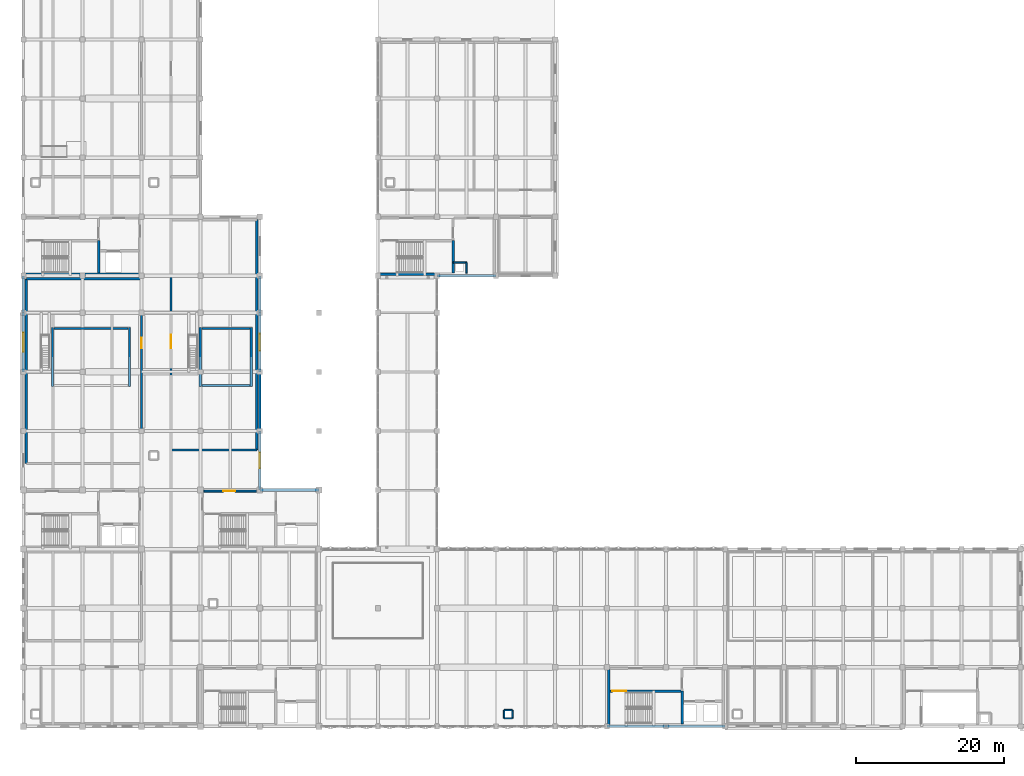
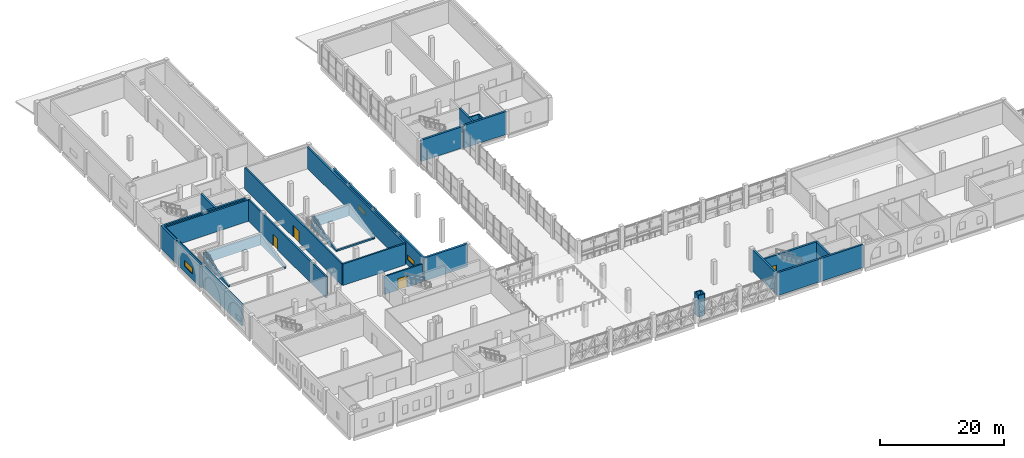
# One storey, part 27 of 45: 37 walls, 4 doors, 3 windows, 7 openings.
"""IFC4 building model written with IfcOpenShell, lengths in metres."""

from ifc_helpers import new_model, si_unit, direction, frame, frame_2d, origin, place, context, subcontext, project, spatial, polyline, rectangle, outline, extrude, material, layer, layer_set, type_object, element, fill, save


model = new_model("IFC4")

# Units and contexts
model_context = context("Model", 3, precision=1e-05, world=origin(), true_north=direction((0.0, 1.0)))
body_context = subcontext(model_context, "Body", "Model", "MODEL_VIEW")
ifc_project = project(units=[si_unit("LENGTHUNIT", "METRE"), si_unit("AREAUNIT", "SQUARE_METRE"), si_unit("VOLUMEUNIT", "CUBIC_METRE"), si_unit("PLANEANGLEUNIT", "RADIAN"), si_unit("MASSUNIT", "GRAM", prefix="KILO")], contexts=[model_context])

# Site, building, storey
site_placement = place(None, origin())
site = spatial("IfcSite", under=ifc_project, at=site_placement, CompositionType="ELEMENT")
building_placement = place(site_placement, origin())
building = spatial("IfcBuilding", under=site, at=building_placement, Name="Qorikala Patio Media Centre", CompositionType="ELEMENT")
storey_placement = place(building_placement, frame((0.0, 0.0, 9.89990234375)))
storey = spatial("IfcBuildingStorey", under=building, at=storey_placement, Name="L02", CompositionType="ELEMENT", Elevation=9.89990234375)

# Walls
ifc_material_1 = material(Name="Concrete C35/45", Category="concrete")
ifc_layer_1 = layer(ifc_material_1, 0.300048828125)
ifc_layer_set_1 = layer_set([ifc_layer_1], Name="Concrete C35/45")
wall_type_1 = type_object("IfcWallType", Name="WL-AC-300", PredefinedType="SHEAR", material=ifc_layer_set_1)
for number, where, z_axis, x_axis, name in (
    (1, (6.949951171875, 49.0, 0.0), (0.0, 0.0, 1.0), (0.0, 1.0, 0.0), "Cinema Screen 3 Raked Seating Tier Raker Cheek Wall W"),
    (2, (17.35009765625, 49.0, 0.0), (0.0, 0.0, 1.0), (0.0, 1.0, 0.0), "Cinema Screen 3 Raked Seating Tier Raker Cheek Wall E"),
):
    element("IfcWall", number, at=place(storey_placement, frame(where, z_axis=z_axis, x_axis=x_axis)), inside=storey, type_object=wall_type_1, Name=name, PredefinedType="SHEAR", context=body_context, shape_type="SweptSolid", body=[
        extrude(outline(polyline([(0.0, 0.0), (8.0, 0.0), (8.0, 2.070068359375), (0.0, 0.320068359375), (0.0, 0.0)])), frame((0.0, 0.14990234375, 0.0), z_axis=(0.0, -1.0, 0.0), x_axis=(1.0, 0.0, 0.0)), (0.0, 0.0, 1.0), 0.300048828125),
    ])
wall_1_placement = place(storey_placement, frame((7.14990234375, 56.85009765625, 0.0), z_axis=(0.0, 0.0, 1.0), x_axis=(1.0, 0.0, 0.0)))
element("IfcWall", 3, at=wall_1_placement, inside=storey, type_object=wall_type_1, Name="Cinema Screen 3 Raked Seating Tier Rear Riser Support Wall", PredefinedType="SHEAR", context=body_context, shape_type="SweptSolid", body=[
    extrude(rectangle(XDim=10.0, YDim=0.300048828125, at=frame_2d((5.0, 0.0))), origin(), (0.0, 0.0, 1.0), 2.070068359375),
])
for number, where, z_axis, x_axis, name in (
    (4, (26.949951171875, 49.0, 0.0), (0.0, 0.0, 1.0), (0.0, 1.0, 0.0), "Cinema Screen 4 Raked Seating Tier Raker Cheek Wall W"),
    (5, (33.85009765625, 49.0, 0.0), (0.0, 0.0, 1.0), (0.0, 1.0, 0.0), "Cinema Screen 4 Raked Seating Tier Raker Cheek Wall E"),
):
    element("IfcWall", number, at=place(storey_placement, frame(where, z_axis=z_axis, x_axis=x_axis)), inside=storey, type_object=wall_type_1, Name=name, PredefinedType="SHEAR", context=body_context, shape_type="SweptSolid", body=[
        extrude(outline(polyline([(0.0, 0.0), (8.0, 0.0), (8.0, 2.070068359375), (0.0, 0.320068359375), (0.0, 0.0)])), frame((0.0, 0.14990234375, 0.0), z_axis=(0.0, -1.0, 0.0), x_axis=(1.0, 0.0, 0.0)), (0.0, 0.0, 1.0), 0.300048828125),
    ])
wall_2_placement = place(storey_placement, frame((27.14990234375, 56.85009765625, 0.0), z_axis=(0.0, 0.0, 1.0), x_axis=(1.0, 0.0, 0.0)))
element("IfcWall", 6, at=wall_2_placement, inside=storey, type_object=wall_type_1, Name="Cinema Screen 4 Raked Seating Tier Rear Riser Support Wall", PredefinedType="SHEAR", context=body_context, shape_type="SweptSolid", body=[
    extrude(rectangle(XDim=6.5, YDim=0.300048828125, at=frame_2d((3.25, 0.0))), origin(), (0.0, 0.0, 1.0), 2.070068359375),
])
wall_3_placement = place(storey_placement, frame((27.14990234375, 49.14990234375, 0.0), z_axis=(0.0, 0.0, 1.0), x_axis=(1.0, 0.0, 0.0)))
element("IfcWall", 7, at=wall_3_placement, inside=storey, type_object=wall_type_1, Name="Cinema Screen 4 Raked Seating Tier Front Riser Support Wall", PredefinedType="SHEAR", context=body_context, shape_type="SweptSolid", body=[
    extrude(rectangle(XDim=6.5, YDim=0.300048828125, at=frame_2d((3.25, 0.0))), origin(), (0.0, 0.0, 1.0), 0.320068359375),
])

# Wall, opening, door
wall_4_placement = place(storey_placement, frame((19.0, 38.60009765625, 0.0), z_axis=(0.0, 0.0, 1.0), x_axis=(0.0, 1.0, 0.0)))
wall_4 = element("IfcWall", 8, at=wall_4_placement, inside=storey, type_object=wall_type_1, Name="L02 Interior Wall WINT-L02-SCR3-E", PredefinedType="SHEAR", context=body_context, shape_type="SweptSolid", body=[
    extrude(rectangle(XDim=25.0, YDim=0.300048828125, at=frame_2d((12.5, 0.0))), origin(), (0.0, 0.0, 1.0), 4.2001953125),
])
opening_1_placement = place(wall_4_placement, frame((15.60888671875, 0.0, 0.0)))
opening_1 = element("IfcOpeningElement", 9, at=opening_1_placement, cuts=wall_4, Name="Opening D277", PredefinedType="OPENING", context=body_context, shape_type="SweptSolid", body=[
    extrude(rectangle(XDim=1.39990234375, YDim=2.219970703125, at=frame_2d((0.699951171875, 1.10986328125))), frame((0.0, 0.159912109375, 0.0), z_axis=(0.0, -1.0, 0.0), x_axis=(1.0, 0.0, 0.0)), (0.0, 0.0, 1.0), 0.320068359375),
])
ifc_material_2 = material(Name="Powder-Coated Acoustic Fire Steel", Category="steel")
door_type_1 = type_object("IfcDoorType", Name="DR-FD60-140X222", OperationType="DOUBLE_DOOR_SINGLE_SWING", PredefinedType="DOOR", material=ifc_material_2)
door_1_placement = place(opening_1_placement, origin())
door_1 = element("IfcDoor", 10, at=door_1_placement, inside=storey, type_object=door_type_1, Name="Cinema Screen 3 Door 066", OperationType="DOUBLE_DOOR_SINGLE_SWING", OverallHeight=2.219970703125, OverallWidth=1.39990234375, PredefinedType="DOOR", context=body_context, shape_type="SweptSolid", body=[
    extrude(rectangle(XDim=1.39990234375, YDim=2.219970703125, at=frame_2d((0.699951171875, 1.10986328125))), frame((0.0, 0.02490234375, 0.0), z_axis=(0.0, -1.0, 0.0), x_axis=(1.0, 0.0, 0.0)), (0.0, 0.0, 1.0), 0.050048828125),
])
fill(opening_1, door_1)

# Walls
wall_5_placement = place(storey_placement, frame((3.39990234375, 63.60009765625, 0.0), z_axis=(0.0, 0.0, 1.0), x_axis=(1.0, 0.0, 0.0)))
element("IfcWall", 11, at=wall_5_placement, inside=storey, type_object=wall_type_1, Name="L02 Interior Wall WINT-L02-SCR3-N", PredefinedType="SHEAR", context=body_context, shape_type="SweptSolid", body=[
    extrude(rectangle(XDim=15.60009765625, YDim=0.300048828125, at=frame_2d((7.800048828125, 0.0))), origin(), (0.0, 0.0, 1.0), 4.2001953125),
])
wall_6_placement = place(storey_placement, frame((3.39990234375, 38.60009765625, 0.0), z_axis=(0.0, 0.0, 1.0), x_axis=(0.0, 1.0, 0.0)))
element("IfcWall", 12, at=wall_6_placement, inside=storey, type_object=wall_type_1, Name="L02 Interior Wall WINT-L02-SCR3-W", PredefinedType="SHEAR", context=body_context, shape_type="SweptSolid", body=[
    extrude(rectangle(XDim=25.0, YDim=0.300048828125, at=frame_2d((12.5, 0.0))), origin(), (0.0, 0.0, 1.0), 4.2001953125),
])
wall_7_placement = place(storey_placement, frame((23.0, 40.39990234375, 0.0), z_axis=(0.0, 0.0, 1.0), x_axis=(1.0, 0.0, 0.0)))
element("IfcWall", 13, at=wall_7_placement, inside=storey, type_object=wall_type_1, Name="L02 Interior Wall WINT-L02-SCR4-S", PredefinedType="SHEAR", context=body_context, shape_type="SweptSolid", body=[
    extrude(rectangle(XDim=11.60009765625, YDim=0.300048828125, at=frame_2d((5.800048828125, 0.0))), origin(), (0.0, 0.0, 1.0), 4.2001953125),
])
wall_8_placement = place(storey_placement, frame((34.60009765625, 40.39990234375, 0.0), z_axis=(0.0, 0.0, 1.0), x_axis=(0.0, 1.0, 0.0)))
element("IfcWall", 14, at=wall_8_placement, inside=storey, type_object=wall_type_1, Name="L02 Interior Wall WINT-L02-SCR4-E", PredefinedType="SHEAR", context=body_context, shape_type="SweptSolid", body=[
    extrude(rectangle(XDim=31.2001953125, YDim=0.300048828125, at=frame_2d((15.60009765625, 0.0))), origin(), (0.0, 0.0, 1.0), 4.2001953125),
])

# Wall, opening, door
wall_9_placement = place(storey_placement, frame((23.0, 40.39990234375, 0.0), z_axis=(0.0, 0.0, 1.0), x_axis=(0.0, 1.0, 0.0)))
wall_9 = element("IfcWall", 15, at=wall_9_placement, inside=storey, type_object=wall_type_1, Name="L02 Interior Wall WINT-L02-SCR4-W", PredefinedType="SHEAR", context=body_context, shape_type="SweptSolid", body=[
    extrude(rectangle(XDim=31.2001953125, YDim=0.300048828125, at=frame_2d((15.60009765625, 0.0))), origin(), (0.0, 0.0, 1.0), 4.2001953125),
])
opening_2_placement = place(wall_9_placement, frame((13.798095703125, 0.0, 0.0)))
opening_2 = element("IfcOpeningElement", 16, at=opening_2_placement, cuts=wall_9, Name="Opening D278", PredefinedType="OPENING", context=body_context, shape_type="SweptSolid", body=[
    extrude(rectangle(XDim=1.800048828125, YDim=2.300048828125, at=frame_2d((0.89990234375, 1.14990234375))), frame((0.0, 0.159912109375, 0.0), z_axis=(0.0, -1.0, 0.0), x_axis=(1.0, 0.0, 0.0)), (0.0, 0.0, 1.0), 0.320068359375),
])
door_type_2 = type_object("IfcDoorType", Name="DR-FD90-180X230", OperationType="DOUBLE_DOOR_SINGLE_SWING", PredefinedType="DOOR", material=ifc_material_2)
door_2_placement = place(opening_2_placement, origin())
door_2 = element("IfcDoor", 17, at=door_2_placement, inside=storey, type_object=door_type_2, Name="Cinema Screen 4 Door 067", OperationType="DOUBLE_DOOR_SINGLE_SWING", OverallHeight=2.300048828125, OverallWidth=1.800048828125, PredefinedType="DOOR", context=body_context, shape_type="SweptSolid", body=[
    extrude(rectangle(XDim=1.800048828125, YDim=2.300048828125, at=frame_2d((0.89990234375, 1.14990234375))), frame((0.0, 0.02490234375, 0.0), z_axis=(0.0, -1.0, 0.0), x_axis=(1.0, 0.0, 0.0)), (0.0, 0.0, 1.0), 0.050048828125),
])
fill(opening_2, door_2)

# Walls
ifc_layer_2 = layer(ifc_material_1, 0.35009765625)
ifc_layer_set_2 = layer_set([ifc_layer_2], Name="Concrete C35/45")
wall_type_2 = type_object("IfcWallType", Name="WL-CORE-350", PredefinedType="SHEAR", material=ifc_layer_set_2)
for number, where, z_axis, x_axis, name in (
    (18, (98.0, 3.0, 0.0), (0.0, 0.0, 1.0), (-1.0, 0.0, 0.0), "L02 Core C4 Exterior Shear Wall"),
    (19, (90.0, 3.0, 0.0), (0.0, 0.0, 1.0), (-1.0, 0.0, 0.0), "L02 Core C4 Exterior Shear Wall"),
    (20, (67.0, 64.0, 0.0), (0.0, 0.0, 1.0), (-1.0, 0.0, 0.0), "L02 Core C6 Exterior Shear Wall"),
):
    element("IfcWall", number, at=place(storey_placement, frame(where, z_axis=z_axis, x_axis=x_axis)), inside=storey, type_object=wall_type_2, Name=name, PredefinedType="SHEAR", context=body_context, shape_type="SweptSolid", body=[
        extrude(rectangle(XDim=8.0, YDim=0.35009765625, at=frame_2d((4.0, 0.0))), origin(), (0.0, 0.0, 1.0), 4.5),
    ])
wall_10_placement = place(storey_placement, frame((3.199951171875, 64.22509765625, 0.0), z_axis=(0.0, 0.0, 1.0), x_axis=(1.0, 0.0, 0.0)))
element("IfcWall", 21, at=wall_10_placement, inside=storey, type_object=wall_type_2, Name="L02 Core C3 Stair South Wall", PredefinedType="SHEAR", context=body_context, shape_type="SweptSolid", body=[
    extrude(rectangle(XDim=15.60009765625, YDim=0.35009765625, at=frame_2d((7.800048828125, 0.0))), origin(), (0.0, 0.0, 1.0), 4.2001953125),
])
wall_11_placement = place(storey_placement, frame((13.175048828125, 64.35009765625, 0.0), z_axis=(0.0, 0.0, 1.0), x_axis=(0.0, 1.0, 0.0)))
element("IfcWall", 22, at=wall_11_placement, inside=storey, type_object=wall_type_2, Name="L02 Interior Wall CW-L02-C3-SE", PredefinedType="SHEAR", context=body_context, shape_type="SweptSolid", body=[
    extrude(rectangle(XDim=4.4248046875, YDim=0.35009765625, at=frame_2d((2.21240234375, 0.0))), origin(), (0.0, 0.0, 1.0), 4.2001953125),
])
wall_12_placement = place(storey_placement, frame((82.22509765625, 3.199951171875, 0.0), z_axis=(0.0, 0.0, 1.0), x_axis=(0.0, 1.0, 0.0)))
element("IfcWall", 23, at=wall_12_placement, inside=storey, type_object=wall_type_2, Name="L02 Interior Wall CW-L02-C4-SW", PredefinedType="SHEAR", context=body_context, shape_type="SweptSolid", body=[
    extrude(rectangle(XDim=7.60009765625, YDim=0.35009765625, at=frame_2d((3.800048828125, 0.0))), origin(), (0.0, 0.0, 1.0), 4.2001953125),
])
wall_13_placement = place(storey_placement, frame((92.175048828125, 3.35009765625, 0.0), z_axis=(0.0, 0.0, 1.0), x_axis=(0.0, 1.0, 0.0)))
element("IfcWall", 24, at=wall_13_placement, inside=storey, type_object=wall_type_2, Name="L02 Interior Wall CW-L02-C4-SE", PredefinedType="SHEAR", context=body_context, shape_type="SweptSolid", body=[
    extrude(rectangle(XDim=4.4248046875, YDim=0.35009765625, at=frame_2d((2.21240234375, 0.0))), origin(), (0.0, 0.0, 1.0), 4.2001953125),
])

# Wall, opening, door
wall_14_placement = place(storey_placement, frame((82.35009765625, 7.77490234375, 0.0), z_axis=(0.0, 0.0, 1.0), x_axis=(1.0, 0.0, 0.0)))
wall_14 = element("IfcWall", 25, at=wall_14_placement, inside=storey, type_object=wall_type_2, Name="L02 Interior Wall CW-L02-C4-SN", PredefinedType="SHEAR", context=body_context, shape_type="SweptSolid", body=[
    extrude(rectangle(XDim=9.824951171875, YDim=0.35009765625, at=frame_2d((4.91259765625, 0.0))), origin(), (0.0, 0.0, 1.0), 4.2001953125),
])
opening_3_placement = place(wall_14_placement, frame((0.39990234375, 0.0, 0.0)))
opening_3 = element("IfcOpeningElement", 26, at=opening_3_placement, cuts=wall_14, Name="Opening D131", PredefinedType="OPENING", context=body_context, shape_type="SweptSolid", body=[
    extrude(rectangle(XDim=1.85009765625, YDim=2.25, at=frame_2d((0.925048828125, 1.125))), frame((0.0, 0.18505859375, 0.0), z_axis=(0.0, -1.0, 0.0), x_axis=(1.0, 0.0, 0.0)), (0.0, 0.0, 1.0), 0.3701171875),
])
door_type_3 = type_object("IfcDoorType", Name="DR-FD60-185X225", OperationType="DOUBLE_DOOR_SINGLE_SWING", PredefinedType="DOOR", material=ifc_material_2)
door_3_placement = place(opening_3_placement, origin())
door_3 = element("IfcDoor", 27, at=door_3_placement, inside=storey, type_object=door_type_3, Name="L02 Stair ST-4 Fire Door", OperationType="DOUBLE_DOOR_SINGLE_SWING", OverallHeight=2.25, OverallWidth=1.85009765625, PredefinedType="DOOR", context=body_context, shape_type="SweptSolid", body=[
    extrude(rectangle(XDim=1.85009765625, YDim=2.25, at=frame_2d((0.925048828125, 1.125))), frame((0.0, 0.02490234375, 0.0), z_axis=(0.0, -1.0, 0.0), x_axis=(1.0, 0.0, 0.0)), (0.0, 0.0, 1.0), 0.050048828125),
])
fill(opening_3, door_3)

# Walls
wall_15_placement = place(storey_placement, frame((51.25, 64.22509765625, 0.0), z_axis=(0.0, 0.0, 1.0), x_axis=(1.0, 0.0, 0.0)))
element("IfcWall", 28, at=wall_15_placement, inside=storey, type_object=wall_type_2, Name="L02 Core C6 Bridge Stair Wall", PredefinedType="SHEAR", context=body_context, shape_type="SweptSolid", body=[
    extrude(rectangle(XDim=7.5, YDim=0.35009765625, at=frame_2d((3.75, 0.0))), origin(), (0.0, 0.0, 1.0), 4.2001953125),
])
wall_16_placement = place(storey_placement, frame((61.175048828125, 64.35009765625, 0.0), z_axis=(0.0, 0.0, 1.0), x_axis=(0.0, 1.0, 0.0)))
element("IfcWall", 29, at=wall_16_placement, inside=storey, type_object=wall_type_2, Name="L02 Interior Wall CW-L02-C6-SE", PredefinedType="SHEAR", context=body_context, shape_type="SweptSolid", body=[
    extrude(rectangle(XDim=4.4248046875, YDim=0.35009765625, at=frame_2d((2.21240234375, 0.0))), origin(), (0.0, 0.0, 1.0), 4.2001953125),
])

# Wall, opening, window
ifc_material_3 = material(Name="Ivory Lime Stucco and Concrete C35/45", Category="concrete")
ifc_layer_3 = layer(ifc_material_3, 0.320068359375)
ifc_layer_set_3 = layer_set([ifc_layer_3], Name="Ivory Lime Stucco and Concrete C35/45")
wall_type_3 = type_object("IfcWallType", Name="WL-EXT-320", PredefinedType="SOLIDWALL", material=ifc_layer_set_3)
wall_17_placement = place(storey_placement, frame((3.0, 51.0, 0.0), z_axis=(0.0, 0.0, 1.0), x_axis=(0.0, 1.0, 0.0)))
wall_17 = element("IfcWall", 30, at=wall_17_placement, inside=storey, type_object=wall_type_3, Name="L02 Exterior Wall WL-L02-EXT-0035", PredefinedType="SOLIDWALL", context=body_context, shape_type="SweptSolid", body=[
    extrude(rectangle(XDim=8.0, YDim=0.320068359375, at=frame_2d((4.0, 0.0))), origin(), (0.0, 0.0, 1.0), 4.5),
])
opening_4_placement = place(wall_17_placement, frame((2.699951171875, 0.0, 1.10009765625)))
opening_4 = element("IfcOpeningElement", 31, at=opening_4_placement, cuts=wall_17, Name="Opening WL-260", PredefinedType="OPENING", context=body_context, shape_type="SweptSolid", body=[
    extrude(rectangle(XDim=2.60009765625, YDim=1.199951171875, at=frame_2d((1.300048828125, 0.60009765625))), frame((0.0, 0.169921875, 0.0), z_axis=(0.0, -1.0, 0.0), x_axis=(1.0, 0.0, 0.0)), (0.0, 0.0, 1.0), 0.340087890625),
])
ifc_material_4 = material(Name="Acoustic Laminated Low-E Glass", Category="glass")
window_type_1 = type_object("IfcWindowType", Name="WN-CL-260X120", PartitioningType="SINGLE_PANEL", PredefinedType="WINDOW", material=ifc_material_4)
window_1_placement = place(opening_4_placement, origin())
window_1 = element("IfcWindow", 32, at=window_1_placement, inside=storey, type_object=window_type_1, Name="L02 High Acoustic Clerestory Window 0162", OverallHeight=1.199951171875, OverallWidth=2.60009765625, PartitioningType="SINGLE_PANEL", PredefinedType="WINDOW", context=body_context, shape_type="SweptSolid", body=[
    extrude(rectangle(XDim=2.60009765625, YDim=1.199951171875, at=frame_2d((1.300048828125, 0.60009765625))), frame((0.0, 0.030029296875, 0.0), z_axis=(0.0, -1.0, 0.0), x_axis=(1.0, 0.0, 0.0)), (0.0, 0.0, 1.0), 0.06005859375),
])
fill(opening_4, window_1)

# Walls
for number, where, z_axis, x_axis, name in (
    (33, (3.0, 59.0, 0.0), (0.0, 0.0, 1.0), (0.0, 1.0, 0.0), "L02 Exterior Wall WL-L02-EXT-0036"),
    (34, (35.0, 64.0, 0.0), (0.0, 0.0, 1.0), (0.0, -1.0, 0.0), "L02 Exterior Wall WL-L02-EXT-0051"),
):
    element("IfcWall", number, at=place(storey_placement, frame(where, z_axis=z_axis, x_axis=x_axis)), inside=storey, type_object=wall_type_3, Name=name, PredefinedType="SOLIDWALL", context=body_context, shape_type="SweptSolid", body=[
        extrude(rectangle(XDim=5.0, YDim=0.320068359375, at=frame_2d((2.5, 0.0))), origin(), (0.0, 0.0, 1.0), 4.5),
    ])

# Wall, opening, window
wall_18_placement = place(storey_placement, frame((35.0, 59.0, 0.0), z_axis=(0.0, 0.0, 1.0), x_axis=(0.0, -1.0, 0.0)))
wall_18 = element("IfcWall", 35, at=wall_18_placement, inside=storey, type_object=wall_type_3, Name="L02 Exterior Wall WL-L02-EXT-0052", PredefinedType="SOLIDWALL", context=body_context, shape_type="SweptSolid", body=[
    extrude(rectangle(XDim=8.0, YDim=0.320068359375, at=frame_2d((4.0, 0.0))), origin(), (0.0, 0.0, 1.0), 4.5),
])
opening_5_placement = place(wall_18_placement, frame((2.875, 0.0, 1.10009765625)))
opening_5 = element("IfcOpeningElement", 36, at=opening_5_placement, cuts=wall_18, Name="Opening WL-225", PredefinedType="OPENING", context=body_context, shape_type="SweptSolid", body=[
    extrude(rectangle(XDim=2.25, YDim=1.02001953125, at=frame_2d((1.125, 0.510009765625))), frame((0.0, 0.169921875, 0.0), z_axis=(0.0, -1.0, 0.0), x_axis=(1.0, 0.0, 0.0)), (0.0, 0.0, 1.0), 0.340087890625),
])
window_type_2 = type_object("IfcWindowType", Name="WN-CL-225X102", PartitioningType="SINGLE_PANEL", PredefinedType="WINDOW", material=ifc_material_4)
window_2_placement = place(opening_5_placement, origin())
window_2 = element("IfcWindow", 37, at=window_2_placement, inside=storey, type_object=window_type_2, Name="L02 High Acoustic Clerestory Window 0171", OverallHeight=1.02001953125, OverallWidth=2.25, PartitioningType="SINGLE_PANEL", PredefinedType="WINDOW", context=body_context, shape_type="SweptSolid", body=[
    extrude(rectangle(XDim=2.25, YDim=1.02001953125, at=frame_2d((1.125, 0.510009765625))), frame((0.0, 0.030029296875, 0.0), z_axis=(0.0, -1.0, 0.0), x_axis=(1.0, 0.0, 0.0)), (0.0, 0.0, 1.0), 0.06005859375),
])
fill(opening_5, window_2)

# Wall
wall_19_placement = place(storey_placement, frame((35.0, 51.0, 0.0), z_axis=(0.0, 0.0, 1.0), x_axis=(0.0, -1.0, 0.0)))
element("IfcWall", 38, at=wall_19_placement, inside=storey, type_object=wall_type_3, Name="L02 Exterior Wall WL-L02-EXT-0053", PredefinedType="SOLIDWALL", context=body_context, shape_type="SweptSolid", body=[
    extrude(rectangle(XDim=8.0, YDim=0.320068359375, at=frame_2d((4.0, 0.0))), origin(), (0.0, 0.0, 1.0), 4.5),
])

# Wall, opening, window
wall_20_placement = place(storey_placement, frame((35.0, 43.0, 0.0), z_axis=(0.0, 0.0, 1.0), x_axis=(0.0, -1.0, 0.0)))
wall_20 = element("IfcWall", 39, at=wall_20_placement, inside=storey, type_object=wall_type_3, Name="L02 Exterior Wall WL-L02-EXT-0054", PredefinedType="SOLIDWALL", context=body_context, shape_type="SweptSolid", body=[
    extrude(rectangle(XDim=8.0, YDim=0.320068359375, at=frame_2d((4.0, 0.0))), origin(), (0.0, 0.0, 1.0), 4.5),
])
opening_6_placement = place(wall_20_placement, frame((2.949951171875, 0.0, 1.10009765625)))
opening_6 = element("IfcOpeningElement", 40, at=opening_6_placement, cuts=wall_20, Name="Opening WL-210", PredefinedType="OPENING", context=body_context, shape_type="SweptSolid", body=[
    extrude(rectangle(XDim=2.10009765625, YDim=0.949951171875, at=frame_2d((1.050048828125, 0.47509765625))), frame((0.0, 0.169921875, 0.0), z_axis=(0.0, -1.0, 0.0), x_axis=(1.0, 0.0, 0.0)), (0.0, 0.0, 1.0), 0.340087890625),
])
window_type_3 = type_object("IfcWindowType", Name="WN-CL-210X095", PartitioningType="SINGLE_PANEL", PredefinedType="WINDOW", material=ifc_material_4)
window_3_placement = place(opening_6_placement, origin())
window_3 = element("IfcWindow", 41, at=window_3_placement, inside=storey, type_object=window_type_3, Name="L02 High Acoustic Clerestory Window 0172", OverallHeight=0.949951171875, OverallWidth=2.10009765625, PartitioningType="SINGLE_PANEL", PredefinedType="WINDOW", context=body_context, shape_type="SweptSolid", body=[
    extrude(rectangle(XDim=2.10009765625, YDim=0.949951171875, at=frame_2d((1.050048828125, 0.47509765625))), frame((0.0, 0.030029296875, 0.0), z_axis=(0.0, -1.0, 0.0), x_axis=(1.0, 0.0, 0.0)), (0.0, 0.0, 1.0), 0.06005859375),
])
fill(opening_6, window_3)

# Wall, opening, door
ifc_layer_4 = layer(ifc_material_1, 0.25)
ifc_layer_set_4 = layer_set([ifc_layer_4], Name="Concrete C35/45")
wall_type_4 = type_object("IfcWallType", Name="WL-FFL-250", PredefinedType="PARTITIONING", material=ifc_layer_set_4)
wall_21_placement = place(storey_placement, frame((27.449951171875, 34.85009765625, 0.0), z_axis=(0.0, 0.0, 1.0), x_axis=(1.0, 0.0, 0.0)))
wall_21 = element("IfcWall", 42, at=wall_21_placement, inside=storey, type_object=wall_type_4, Name="L02 Interior Wall CW-L02-C5-CN1", PredefinedType="PARTITIONING", context=body_context, shape_type="SweptSolid", body=[
    extrude(rectangle(XDim=7.10009765625, YDim=0.25, at=frame_2d((3.550048828125, 0.0))), origin(), (0.0, 0.0, 1.0), 3.53515625),
])
opening_7_placement = place(wall_21_placement, frame((2.60009765625, 0.0, 0.0)))
opening_7 = element("IfcOpeningElement", 43, at=opening_7_placement, cuts=wall_21, Name="Opening D157", PredefinedType="OPENING", context=body_context, shape_type="SweptSolid", body=[
    extrude(rectangle(XDim=1.64990234375, YDim=2.25, at=frame_2d((0.824951171875, 1.125))), frame((0.0, 0.135009765625, 0.0), z_axis=(0.0, -1.0, 0.0), x_axis=(1.0, 0.0, 0.0)), (0.0, 0.0, 1.0), 0.27001953125),
])
door_type_4 = type_object("IfcDoorType", Name="DR-FD60-165X225", OperationType="DOUBLE_DOOR_SINGLE_SWING", PredefinedType="DOOR", material=ifc_material_2)
door_4_placement = place(opening_7_placement, frame((1.64990234375, 0.0, 0.0), z_axis=(0.0, 0.0, 1.0), x_axis=(-1.0, 0.0, 0.0)))
door_4 = element("IfcDoor", 44, at=door_4_placement, inside=storey, type_object=door_type_4, Name="L02 Core C5 Vestibule Door", OperationType="DOUBLE_DOOR_SINGLE_SWING", OverallHeight=2.25, OverallWidth=1.64990234375, PredefinedType="DOOR", context=body_context, shape_type="SweptSolid", body=[
    extrude(rectangle(XDim=1.64990234375, YDim=2.25, at=frame_2d((0.824951171875, 1.125))), frame((0.0, 0.02490234375, 0.0), z_axis=(0.0, -1.0, 0.0), x_axis=(1.0, 0.0, 0.0)), (0.0, 0.0, 1.0), 0.050048828125),
])
fill(opening_7, door_4)

# Walls
ifc_material_5 = material(Name="Acoustic Masonry and Plaster Concrete C30/37", Category="masonry")
ifc_layer_5 = layer(ifc_material_5, 0.199951171875)
ifc_layer_set_5 = layer_set([ifc_layer_5], Name="Acoustic Masonry and Plaster Concrete C30/37")
wall_type_5 = type_object("IfcWallType", Name="WL-ST-200", PredefinedType="PARTITIONING", material=ifc_layer_set_5)
wall_22_placement = place(storey_placement, frame((61.199951171875, 65.800048828125, 0.0), z_axis=(0.0, 0.0, 1.0), x_axis=(1.0, 0.0, 0.0)))
element("IfcWall", 45, at=wall_22_placement, inside=storey, type_object=wall_type_5, Name="L02 Interior Wall CW-L02-C6-RSN", PredefinedType="PARTITIONING", context=body_context, shape_type="SweptSolid", body=[
    extrude(rectangle(XDim=1.800048828125, YDim=0.199951171875, at=frame_2d((0.89990234375, 0.0))), origin(), (0.0, 0.0, 1.0), 4.2001953125),
])
wall_23_placement = place(storey_placement, frame((63.0, 64.35009765625, 0.0), z_axis=(0.0, 0.0, 1.0), x_axis=(0.0, 1.0, 0.0)))
element("IfcWall", 46, at=wall_23_placement, inside=storey, type_object=wall_type_5, Name="L02 Interior Wall CW-L02-C6-RSE", PredefinedType="PARTITIONING", context=body_context, shape_type="SweptSolid", body=[
    extrude(rectangle(XDim=1.449951171875, YDim=0.199951171875, at=frame_2d((0.72509765625, 0.0))), origin(), (0.0, 0.0, 1.0), 4.2001953125),
])
for number, where, z_axis, x_axis, name in (
    (47, (68.10009765625, 4.10009765625, 0.0), (0.0, 0.0, 1.0), (1.0, 0.0, 0.0), "L02 Interior Wall RSW-2-L02-S"),
    (48, (68.10009765625, 5.199951171875, 0.0), (0.0, 0.0, 1.0), (1.0, 0.0, 0.0), "L02 Interior Wall RSW-2-L02-N"),
    (49, (68.10009765625, 4.10009765625, 0.0), (0.0, 0.0, 1.0), (0.0, 1.0, 0.0), "L02 Interior Wall RSW-2-L02-W"),
    (50, (69.199951171875, 4.10009765625, 0.0), (0.0, 0.0, 1.0), (0.0, 1.0, 0.0), "L02 Interior Wall RSW-2-L02-E"),
):
    element("IfcWall", number, at=place(storey_placement, frame(where, z_axis=z_axis, x_axis=x_axis)), inside=storey, type_object=wall_type_5, Name=name, PredefinedType="PARTITIONING", context=body_context, shape_type="SweptSolid", body=[
        extrude(rectangle(XDim=1.099853515625, YDim=0.199951171875, at=frame_2d((0.5498046875, 0.0))), origin(), (0.0, 0.0, 1.0), 4.2001953125),
    ])
ifc_material_6 = material(Name="Comanche Granite and Concrete C35/45", Category="masonry")
ifc_layer_6 = layer(ifc_material_6, 0.3798828125)
ifc_layer_set_6 = layer_set([ifc_layer_6], Name="Comanche Granite and Concrete C35/45")
wall_type_6 = type_object("IfcWallType", Name="WL-STONE-380", PredefinedType="SOLIDWALL", material=ifc_layer_set_6)
wall_24_placement = place(storey_placement, frame((35.0, 35.0, 0.0), z_axis=(0.0, 0.0, 1.0), x_axis=(1.0, 0.0, 0.0)))
element("IfcWall", 51, at=wall_24_placement, inside=storey, type_object=wall_type_6, Name="L02 Core C5 Exterior Shear Wall", PredefinedType="SOLIDWALL", context=body_context, shape_type="SweptSolid", body=[
    extrude(rectangle(XDim=8.0, YDim=0.3798828125, at=frame_2d((4.0, 0.0))), origin(), (0.0, 0.0, 1.0), 4.5),
])

save(model, "model.ifc")
